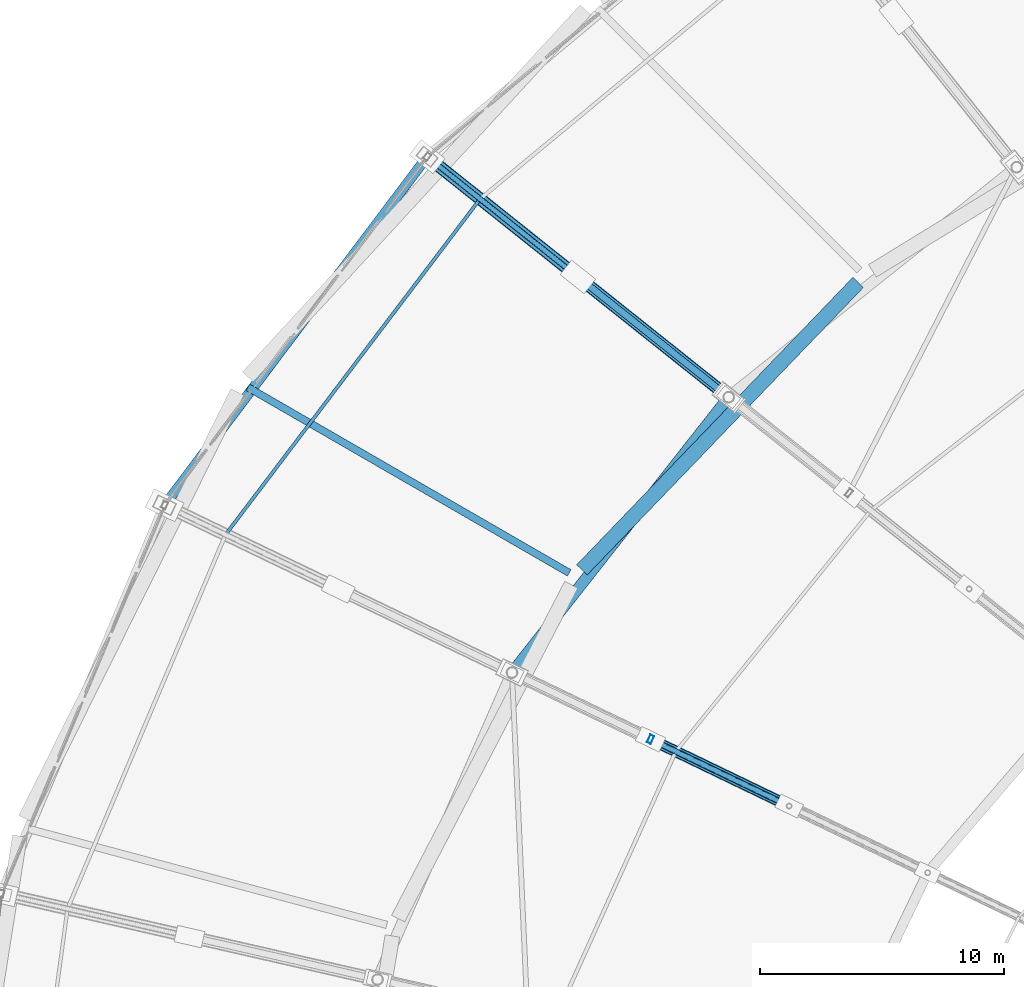
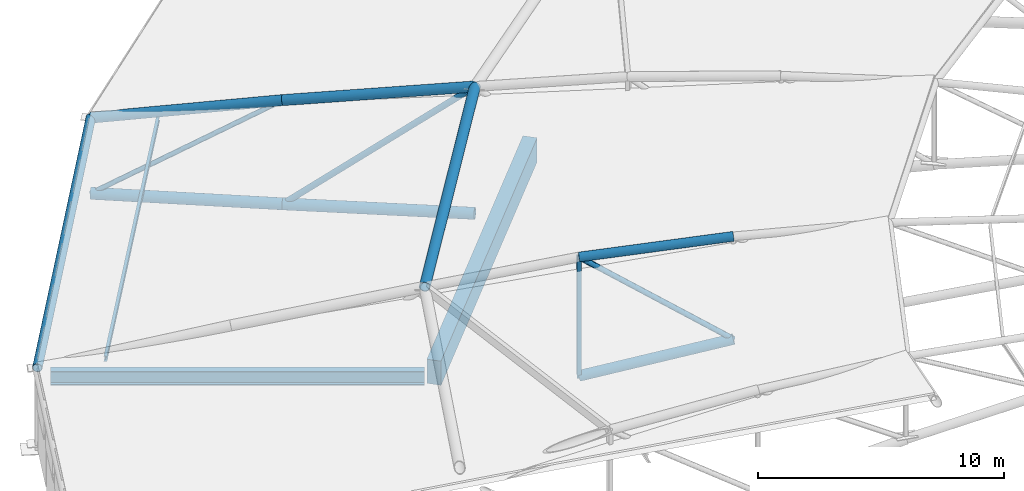
# One storey, part 38 of 108: 13 members, 2 beams.
"""IFC4 building model written with IfcOpenShell, lengths in metres."""

from ifc_helpers import new_model, si_unit, direction, frame, origin, origin_2d, place, context, subcontext, project, spatial, rectangle, hollow_rectangle, hollow_circle, i_section, extrude, material, material_profile, profile_set, type_object, element, save


model = new_model("IFC4")

# Units and contexts
model_context = context("Model", 3, precision=1e-05, world=origin(), true_north=direction((0.0, 1.0)))
body_context = subcontext(model_context, "Body", "Model", "MODEL_VIEW")
ifc_project = project(units=[si_unit("LENGTHUNIT", "METRE"), si_unit("AREAUNIT", "SQUARE_METRE"), si_unit("VOLUMEUNIT", "CUBIC_METRE"), si_unit("PLANEANGLEUNIT", "RADIAN"), si_unit("MASSUNIT", "GRAM", prefix="KILO")], contexts=[model_context])

# Site, building, storey
site_placement = place(None, origin())
site = spatial("IfcSite", under=ifc_project, at=site_placement, CompositionType="ELEMENT")
building_placement = place(site_placement, origin())
building = spatial("IfcBuilding", under=site, at=building_placement, Name="Zevraka Park Crest Stadium", CompositionType="ELEMENT")
storey_placement = place(building_placement, frame((0.0, 0.0, 29.39990234375)))
storey = spatial("IfcBuildingStorey", under=building, at=storey_placement, Name="RF", CompositionType="ELEMENT", Elevation=29.39990234375)

# Beam
ifc_material_1 = material(Name="Steel S355", Category="steel")
ifc_material_profile_1 = material_profile(ifc_material_1, i_section(OverallWidth=0.300048828125, OverallDepth=0.699951171875, WebThickness=0.01708984375, FlangeThickness=0.031982421875, at=origin_2d()), Name="HEB 700")
ifc_profile_set_1 = profile_set([ifc_material_profile_1], Name="Steel S355")
beam_type_1 = type_object("IfcBeamType", Name="BG06", PredefinedType="BEAM", material=ifc_profile_set_1)
beam_1_placement = place(storey_placement, frame((47.220947265625, 121.89990234375, -0.534912109375), z_axis=(-0.86601037836, 0.500026023896, 0.0), x_axis=(-0.500026023896, -0.86601037836, 0.0)))
element("IfcBeam", 1, at=beam_1_placement, inside=storey, type_object=beam_type_1, Name="Radial Girder BG06 RF-BD-10", PredefinedType="BEAM", context=body_context, shape_type="SweptSolid", body=[
    extrude(i_section(OverallWidth=0.300048828125, OverallDepth=0.699951171875, WebThickness=0.01708984375, FlangeThickness=0.031982421875, at=origin_2d()), origin(), (0.0, 0.0, 1.0), 15.199462890625),
])

# Member
ifc_material_2 = material(Name="Steel S355", Category="steel")
ifc_material_profile_2 = material_profile(ifc_material_2, i_section(OverallWidth=0.135009765625, OverallDepth=0.27001953125, WebThickness=0.006591796875, FlangeThickness=0.01025390625, at=origin_2d()), Name="IPE 270")
ifc_profile_set_2 = profile_set([ifc_material_profile_2], Name="Steel S355")
member_type_1 = type_object("IfcMemberType", Name="PR04", PredefinedType="PURLIN", material=ifc_profile_set_2)
member_1_placement = place(storey_placement, frame((43.571044921875, 137.218017578125, 4.302001953125), z_axis=(-0.604210903158, -0.796824437693, 0.0), x_axis=(0.796824437693, -0.604210903158, 0.0)))
element("IfcMember", 2, at=member_1_placement, inside=storey, type_object=member_type_1, Name="Canopy Roof Purlin PR04 OUTER-12-1", PredefinedType="PURLIN", context=body_context, shape_type="SweptSolid", body=[
    extrude(i_section(OverallWidth=0.135009765625, OverallDepth=0.27001953125, WebThickness=0.006591796875, FlangeThickness=0.01025390625, at=origin_2d()), origin(), (0.0, 0.0, 1.0), 17.25732421875),
])

# Beam
ifc_material_3 = material(Name="Concrete C40/50", Category="concrete")
ifc_material_profile_3 = material_profile(ifc_material_3, rectangle(XDim=0.60009765625, YDim=1.199951171875, at=origin_2d()), Name="RC 1200x600")
ifc_profile_set_3 = profile_set([ifc_material_profile_3], Name="Concrete C40/50")
beam_type_2 = type_object("IfcBeamType", Name="RB01", PredefinedType="BEAM", material=ifc_profile_set_3)
beam_2_placement = place(storey_placement, frame((59.05810546875, 133.799072265625, -0.599853515625), z_axis=(-0.692852617328, -0.721079226342, 0.0), x_axis=(0.721079226342, -0.692852617328, 0.0)))
element("IfcBeam", 3, at=beam_2_placement, inside=storey, type_object=beam_type_2, Name="Ring Beam RB01 RF-B-09", PredefinedType="BEAM", context=body_context, shape_type="SweptSolid", body=[
    extrude(rectangle(XDim=0.60009765625, YDim=1.199951171875, at=origin_2d()), origin(), (0.0, 0.0, 1.0), 16.329833984375),
])

# Members
ifc_material_4 = material(Name="Steel S355", Category="steel")
ifc_material_profile_4 = material_profile(ifc_material_4, hollow_circle(Radius=0.25390625, WallThickness=0.030029296875, at=origin_2d()), Name="CHS 508.0x30")
ifc_profile_set_4 = profile_set([ifc_material_profile_4], Name="Steel S355")
member_type_2 = type_object("IfcMemberType", Name="TC01", PredefinedType="CHORD", material=ifc_profile_set_4)
member_2_placement = place(storey_placement, frame((41.40087890625, 138.948974609375, 0.25), z_axis=(0.781218252924, -0.623103162005, 0.037953798191), x_axis=(0.623552434629, 0.781781530396, 0.0)))
element("IfcMember", 4, at=member_2_placement, inside=storey, type_object=member_type_2, Name="Roof Truss Bottom Chord TC01 T12-1", PredefinedType="CHORD", context=body_context, shape_type="SweptSolid", body=[
    extrude(hollow_circle(Radius=0.25390625, WallThickness=0.030029296875, at=origin_2d()), origin(), (0.0, 0.0, 1.0), 7.905517578125),
])
member_3_placement = place(storey_placement, frame((47.576904296875, 134.02294921875, 0.550048828125), z_axis=(0.78112320317, -0.622805358585, 0.044272189769), x_axis=(0.623416614884, 0.781889841529, 0.0)))
element("IfcMember", 5, at=member_3_placement, inside=storey, type_object=member_type_2, Name="Roof Truss Bottom Chord TC01 T12-2", PredefinedType="CHORD", context=body_context, shape_type="SweptSolid", body=[
    extrude(hollow_circle(Radius=0.25390625, WallThickness=0.030029296875, at=origin_2d()), origin(), (0.0, 0.0, 1.0), 7.907958984375),
])
ifc_material_5 = material(Name="Steel S355", Category="steel")
ifc_material_profile_5 = material_profile(ifc_material_5, hollow_circle(Radius=0.228515625, WallThickness=0.02490234375, at=origin_2d()), Name="CHS 457.0x25")
ifc_profile_set_5 = profile_set([ifc_material_profile_5], Name="Steel S355")
member_type_3 = type_object("IfcMemberType", Name="TC02", PredefinedType="CHORD", material=ifc_profile_set_5)
member_4_placement = place(storey_placement, frame((41.40087890625, 138.948974609375, 4.0), z_axis=(0.764281850897, -0.609594612229, 0.21039881447), x_axis=(0.623552434629, 0.781781530396, 0.0)))
element("IfcMember", 6, at=member_4_placement, inside=storey, type_object=member_type_3, Name="Roof Truss Top Chord TC02 T12-1", PredefinedType="CHORD", context=body_context, shape_type="SweptSolid", body=[
    extrude(hollow_circle(Radius=0.228515625, WallThickness=0.02490234375, at=origin_2d()), origin(), (0.0, 0.0, 1.0), 8.080810546875),
])
member_5_placement = place(storey_placement, frame((47.576904296875, 134.02294921875, 5.7001953125), z_axis=(0.768165836741, -0.612474187762, 0.186538512349), x_axis=(0.623416614884, 0.781889841529, 0.0)))
element("IfcMember", 7, at=member_5_placement, inside=storey, type_object=member_type_3, Name="Roof Truss Top Chord TC02 T12-2", PredefinedType="CHORD", context=body_context, shape_type="SweptSolid", body=[
    extrude(hollow_circle(Radius=0.228515625, WallThickness=0.02490234375, at=origin_2d()), origin(), (0.0, 0.0, 1.0), 8.041259765625),
])
member_6_placement = place(storey_placement, frame((50.553955078125, 115.0830078125, 2.4501953125), z_axis=(0.876441359224, -0.42214247239, 0.231616659257), x_axis=(0.433942615061, 0.900940512373, 0.0)))
element("IfcMember", 8, at=member_6_placement, inside=storey, type_object=member_type_3, Name="Roof Truss Bottom Chord TC02 T13-4", PredefinedType="CHORD", context=body_context, shape_type="SweptSolid", body=[
    extrude(hollow_circle(Radius=0.228515625, WallThickness=0.02490234375, at=origin_2d()), origin(), (0.0, 0.0, 1.0), 6.476318359375),
])
member_7_placement = place(storey_placement, frame((53.75390625, 129.097900390625, 7.2001953125), z_axis=(-0.618319416276, -0.785926904652, 0.0), x_axis=(0.785926904652, -0.618319416276, 0.0)))
element("IfcMember", 9, at=member_7_placement, inside=storey, type_object=member_type_3, Name="Roof Main Bowl-Rim Ring Chord TC02 12", PredefinedType="CHORD", context=body_context, shape_type="SweptSolid", body=[
    extrude(hollow_circle(Radius=0.228515625, WallThickness=0.02490234375, at=origin_2d()), origin(), (0.0, 0.0, 1.0), 14.35498046875),
])
ifc_material_6 = material(Name="Steel S355", Category="steel")
ifc_material_profile_6 = material_profile(ifc_material_6, hollow_circle(Radius=0.203125, WallThickness=0.02001953125, at=origin_2d()), Name="CHS 406.4x20")
ifc_profile_set_6 = profile_set([ifc_material_profile_6], Name="Steel S355")
member_type_4 = type_object("IfcMemberType", Name="TC03", PredefinedType="CHORD", material=ifc_profile_set_6)
member_8_placement = place(storey_placement, frame((50.553955078125, 115.0830078125, 8.35009765625), z_axis=(0.895431075511, -0.431288966561, 0.110421992064), x_axis=(0.433942615061, 0.900940512373, 0.0)))
element("IfcMember", 10, at=member_8_placement, inside=storey, type_object=member_type_4, Name="Roof Truss Top Chord TC03 T13-4", PredefinedType="CHORD", context=body_context, shape_type="SweptSolid", body=[
    extrude(hollow_circle(Radius=0.203125, WallThickness=0.02001953125, at=origin_2d()), origin(), (0.0, 0.0, 1.0), 6.3388671875),
])
member_9_placement = place(storey_placement, frame((41.40087890625, 138.948974609375, 4.0), z_axis=(-0.601761875222, -0.798675557113, 0.0), x_axis=(0.798675557113, -0.601761875222, 0.0)))
element("IfcMember", 11, at=member_9_placement, inside=storey, type_object=member_type_4, Name="Roof Outer Canopy Ring Chord TC03 12", PredefinedType="CHORD", context=body_context, shape_type="SweptSolid", body=[
    extrude(hollow_circle(Radius=0.203125, WallThickness=0.02001953125, at=origin_2d()), origin(), (0.0, 0.0, 1.0), 17.877197265625),
])
ifc_material_7 = material(Name="Steel S355", Category="steel")
ifc_material_profile_7 = material_profile(ifc_material_7, hollow_circle(Radius=0.136474609375, WallThickness=0.012451171875, at=origin_2d()), Name="CHS 273.0x12.5")
ifc_profile_set_7 = profile_set([ifc_material_profile_7], Name="Steel S355")
member_type_5 = type_object("IfcMemberType", Name="WB01", PredefinedType="BRACE", material=ifc_profile_set_7)
member_10_placement = place(storey_placement, frame((47.576904296875, 134.02294921875, 0.550048828125), z_axis=(0.598171895556, -0.476934573695, 0.643990524606), x_axis=(0.623416614884, 0.781889841529, 0.0)))
element("IfcMember", 12, at=member_10_placement, inside=storey, type_object=member_type_5, Name="Roof Truss Web Diagonal WB01 T12-2", PredefinedType="BRACE", context=body_context, shape_type="SweptSolid", body=[
    extrude(hollow_circle(Radius=0.136474609375, WallThickness=0.012451171875, at=origin_2d()), origin(), (0.0, 0.0, 1.0), 10.326416015625),
])
ifc_material_8 = material(Name="Steel S355", Category="steel")
ifc_material_profile_8 = material_profile(ifc_material_8, hollow_circle(Radius=0.109619140625, WallThickness=0.010009765625, at=origin_2d()), Name="CHS 219.1x10")
ifc_profile_set_8 = profile_set([ifc_material_profile_8], Name="Steel S355")
member_type_6 = type_object("IfcMemberType", Name="WB02", PredefinedType="BRACE", material=ifc_profile_set_8)
member_11_placement = place(storey_placement, frame((41.40087890625, 138.948974609375, 0.25), z_axis=(0.643497834064, -0.513256741824, 0.56787151234), x_axis=(0.623552434629, 0.781781530396, 0.0)))
element("IfcMember", 13, at=member_11_placement, inside=storey, type_object=member_type_6, Name="Roof Truss Web Diagonal WB02 T12-1", PredefinedType="BRACE", context=body_context, shape_type="SweptSolid", body=[
    extrude(hollow_circle(Radius=0.109619140625, WallThickness=0.010009765625, at=origin_2d()), origin(), (0.0, 0.0, 1.0), 9.59765625),
])
ifc_material_9 = material(Name="Steel S355", Category="steel")
ifc_material_profile_9 = material_profile(ifc_material_9, hollow_circle(Radius=0.122314453125, WallThickness=0.012451171875, at=origin_2d()), Name="CHS 244.5x12.5")
ifc_profile_set_9 = profile_set([ifc_material_profile_9], Name="Steel S355")
member_type_7 = type_object("IfcMemberType", Name="WB07", PredefinedType="BRACE", material=ifc_profile_set_9)
member_12_placement = place(storey_placement, frame((56.22998046875, 112.34912109375, 3.9501953125), z_axis=(-0.738639259937, 0.355769385039, 0.572573303909), x_axis=(-0.433942615061, -0.900940512373, 0.0)))
element("IfcMember", 14, at=member_12_placement, inside=storey, type_object=member_type_7, Name="Roof Truss Web Diagonal WB07 T13-4", PredefinedType="BRACE", context=body_context, shape_type="SweptSolid", body=[
    extrude(hollow_circle(Radius=0.122314453125, WallThickness=0.012451171875, at=origin_2d()), origin(), (0.0, 0.0, 1.0), 7.684326171875),
])
ifc_material_10 = material(Name="Steel S355", Category="steel")
ifc_material_profile_10 = material_profile(ifc_material_10, hollow_rectangle(XDim=0.175048828125, YDim=0.35009765625, WallThickness=0.012451171875, at=origin_2d()), Name="RHS 350x175x12.5")
ifc_profile_set_10 = profile_set([ifc_material_profile_10], Name="Steel S355")
member_type_8 = type_object("IfcMemberType", Name="WB09", PredefinedType="BRACE", material=ifc_profile_set_10)
member_13_placement = place(storey_placement, frame((50.553955078125, 115.0830078125, 2.4501953125), z_axis=(0.0, 0.0, 1.0), x_axis=(-0.90100131981, 0.43381634559, 0.0)))
element("IfcMember", 15, at=member_13_placement, inside=storey, type_object=member_type_8, Name="Roof Truss Web Post WB09 T13-3", PredefinedType="BRACE", context=body_context, shape_type="SweptSolid", body=[
    extrude(hollow_rectangle(XDim=0.175048828125, YDim=0.35009765625, WallThickness=0.012451171875, at=origin_2d()), origin(), (0.0, 0.0, 1.0), 5.89990234375),
])

save(model, "model.ifc")
